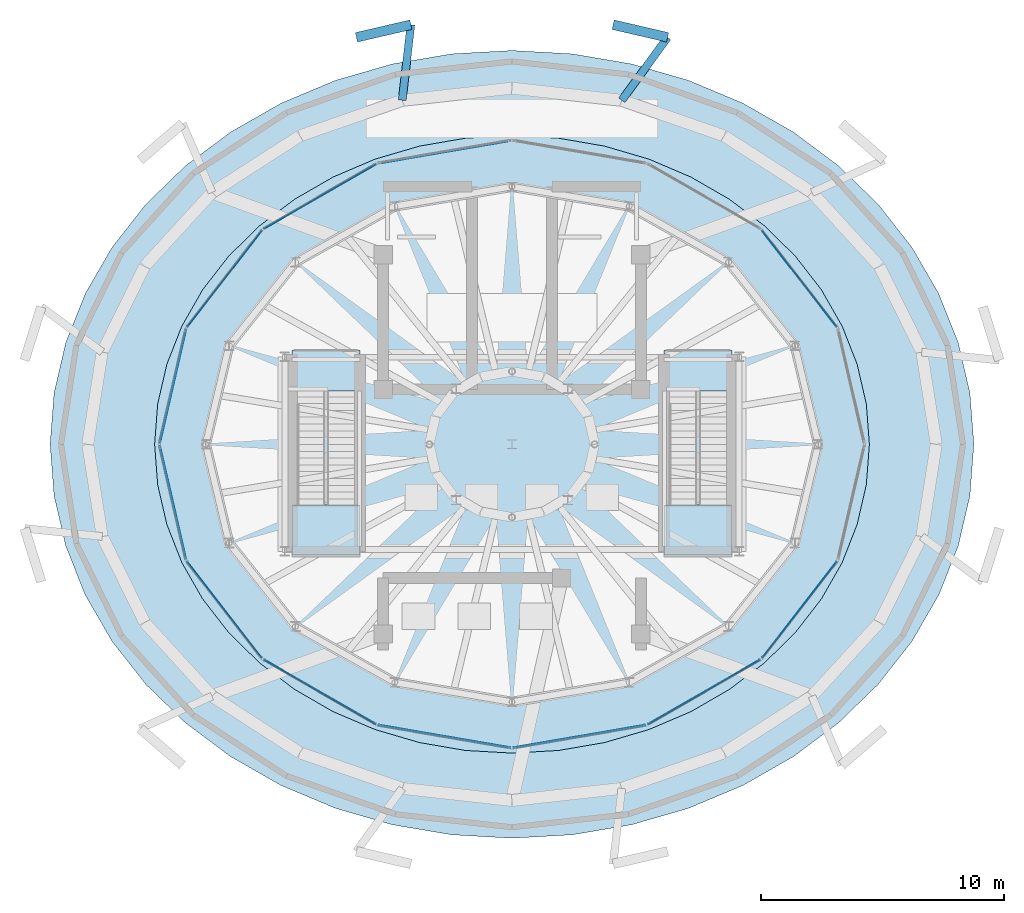
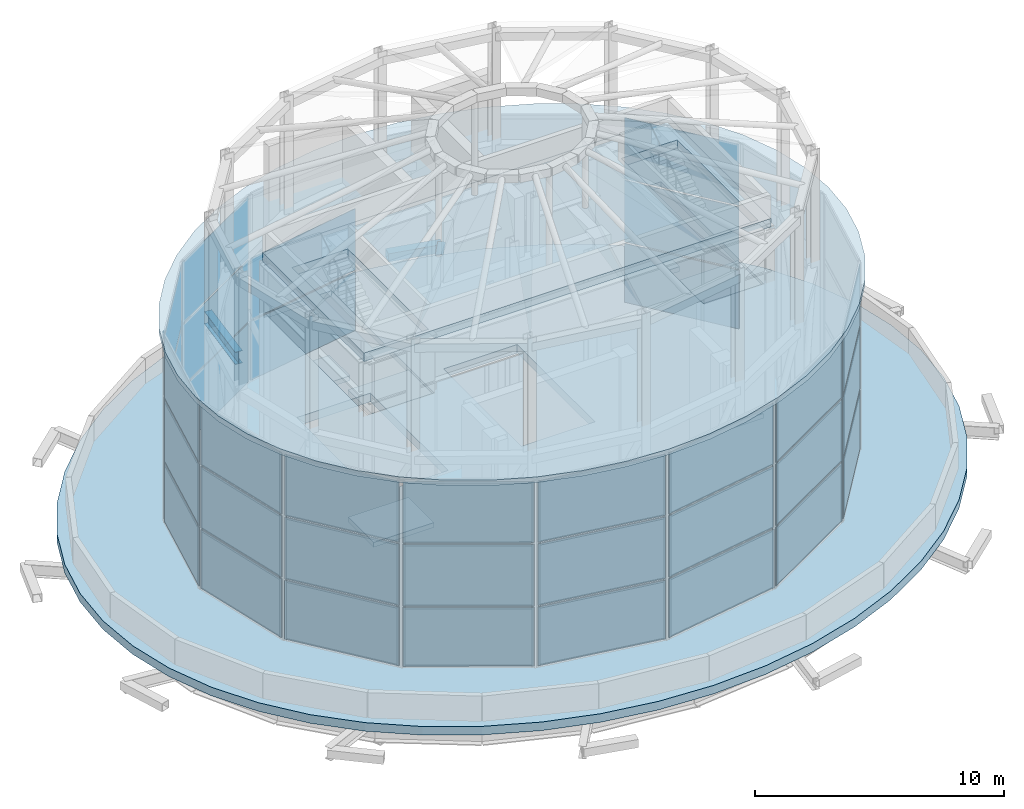
# One storey, part 18 of 22: 35 plates, 9 slabs, 4 beams, 14 elements without a shape of their own.
"""IFC4 building model written with IfcOpenShell, lengths in metres."""

import ifcopenshell
import ifcopenshell.guid

model = None  # the IFC model being written
_history = None  # IfcOwnerHistory: only IFC2X3 demands one
_inside = {}  # id of a spatial element -> (the spatial element, [elements in it])
_under = {}  # id of a project, library or spatial element -> (it, [spatial elements below it])
_declared = {}  # id of a project -> (the project, [libraries it declares])
_typed = {}  # id of a type object -> (the type object, [elements of that type])
_made_of = {}  # id of a material, layer set ... -> (it, [elements and type objects made of it])


def new_model(schema):
    """Start an empty IFC model of exactly this schema.

    Asked for "IFC4X3", IfcOpenShell would pick the latest addendum, in which some entities
    have other attributes; the version numbers below select the first issue.
    IFC2X3 requires an IfcOwnerHistory on every rooted entity: one is made here for all.
    """
    global model, _history
    if schema == "IFC4X3":
        model = ifcopenshell.file(schema_version=(4, 3, 0, 0))
    else:
        model = ifcopenshell.file(schema=schema)
    _inside.clear()
    _under.clear()
    _declared.clear()
    _typed.clear()
    _made_of.clear()
    _history = None
    if model.schema == "IFC2X3":
        org = make("IfcOrganization", Name="unknown")
        user = make(
            "IfcPersonAndOrganization",
            ThePerson=make("IfcPerson", FamilyName="unknown"),
            TheOrganization=org,
        )
        app = make(
            "IfcApplication",
            ApplicationDeveloper=org,
            Version="unknown",
            ApplicationFullName="unknown",
            ApplicationIdentifier="unknown",
        )
        _history = make(
            "IfcOwnerHistory",
            OwningUser=user,
            OwningApplication=app,
            ChangeAction="ADDED",
            CreationDate=0,
        )
    return model


def make(cls, **values):
    """One entity of the class cls with the attributes given. An attribute that is None is left unset."""
    return model.create_entity(
        cls, **{name: value for name, value in values.items() if value is not None}
    )


def rooted(cls, **values):
    """An entity with a GlobalId (a new one), such as an element, a storey or a relation."""
    return make(cls, GlobalId=ifcopenshell.guid.new(), OwnerHistory=_history, **values)


def si_unit(unit_type, name, prefix=None):
    """IfcSIUnit, for example si_unit("LENGTHUNIT", "METRE", prefix="MILLI")."""
    return make("IfcSIUnit", UnitType=unit_type, Prefix=prefix, Name=name)


def assignment(units):
    """IfcUnitAssignment: the units of a project."""
    return None if units is None else make("IfcUnitAssignment", Units=units)


def point(xyz):
    """IfcCartesianPoint."""
    return None if xyz is None else make("IfcCartesianPoint", Coordinates=xyz)


def direction(xyz):
    """IfcDirection."""
    return None if xyz is None else make("IfcDirection", DirectionRatios=xyz)


def frame(location, z_axis=None, x_axis=None):
    """IfcAxis2Placement3D, a coordinate frame: its origin and axes. An axis left out is left unset."""
    return make(
        "IfcAxis2Placement3D",
        Location=point(location),
        Axis=direction(z_axis),
        RefDirection=direction(x_axis),
    )


def frame_2d(location, x_axis=None):
    """IfcAxis2Placement2D, a coordinate frame in the plane: its origin and x axis."""
    return make(
        "IfcAxis2Placement2D", Location=point(location), RefDirection=direction(x_axis)
    )


def origin():
    """The frame at (0, 0, 0) with its axes left unset."""
    return frame((0.0, 0.0, 0.0))


def origin_2d():
    """The frame at (0, 0) in the plane with its x axis left unset."""
    return frame_2d((0.0, 0.0))


def place(relative_to, where):
    """IfcLocalPlacement: puts the frame where relative to a parent placement (None: the world)."""
    return make(
        "IfcLocalPlacement", PlacementRelTo=relative_to, RelativePlacement=where
    )


def context(
    kind, dimensions, precision=None, world=None, true_north=None, identifier=None
):
    """IfcGeometricRepresentationContext, for example the 3D "Model" context."""
    return make(
        "IfcGeometricRepresentationContext",
        ContextIdentifier=identifier,
        ContextType=kind,
        CoordinateSpaceDimension=dimensions,
        Precision=precision,
        WorldCoordinateSystem=world,
        TrueNorth=true_north,
    )


def subcontext(parent, identifier, kind, view, scale=None):
    """IfcGeometricRepresentationSubContext, for example "Body" below "Model"."""
    return make(
        "IfcGeometricRepresentationSubContext",
        ContextIdentifier=identifier,
        ContextType=kind,
        ParentContext=parent,
        TargetScale=scale,
        TargetView=view,
    )


def project(units=None, contexts=None):
    """IfcProject with its units and contexts."""
    return rooted(
        "IfcProject",
        Name="project",
        RepresentationContexts=contexts,
        UnitsInContext=assignment(units),
    )


def spatial(cls, under=None, at=None, **own):
    """A site, building, storey or space (cls), placed at a placement, below another one or the project."""
    s = rooted(cls, ObjectPlacement=at, **own)
    if under is not None:
        _under.setdefault(under.id(), (under, []))[1].append(s)
    return s


def polyline(points):
    """IfcPolyline through the points."""
    return make("IfcPolyline", Points=[point(p) for p in points])


def profile(cls, at=None, kind="AREA", **sizes):
    """A parametric profile (cls). Its sizes go by their IFC names, for example OverallWidth=200.0."""
    return make(cls, ProfileType=kind, Position=at, **sizes)


def rectangle(**sizes):
    """IfcRectangleProfileDef."""
    return profile("IfcRectangleProfileDef", **sizes)


def hollow_rectangle(**sizes):
    """IfcRectangleHollowProfileDef."""
    return profile("IfcRectangleHollowProfileDef", **sizes)


def i_section(**sizes):
    """IfcIShapeProfileDef."""
    return profile("IfcIShapeProfileDef", **sizes)


def outline(outer, holes=None, kind="AREA"):
    """IfcArbitraryClosedProfileDef: a profile drawn as a closed curve; with holes, ...WithVoids."""
    if holes is None:
        return make("IfcArbitraryClosedProfileDef", ProfileType=kind, OuterCurve=outer)
    return make(
        "IfcArbitraryProfileDefWithVoids",
        ProfileType=kind,
        OuterCurve=outer,
        InnerCurves=holes,
    )


def extrude(swept, where, along, depth):
    """IfcExtrudedAreaSolid: the profile swept, set in the frame where, extruded along a direction by depth."""
    return make(
        "IfcExtrudedAreaSolid",
        SweptArea=swept,
        Position=where,
        ExtrudedDirection=direction(along),
        Depth=depth,
    )


def shape(context_of_items, identifier, shape_type, items):
    """IfcShapeRepresentation: the items that make up one representation, for example the "Body"."""
    return make(
        "IfcShapeRepresentation",
        ContextOfItems=context_of_items,
        RepresentationIdentifier=identifier,
        RepresentationType=shape_type,
        Items=items,
    )


def material(Name=None, Category=None):
    """IfcMaterial."""
    return make("IfcMaterial", Name=Name, Category=Category)


def layer(
    of_material, thickness, ventilated=None, Name=None, Category=None, Priority=None
):
    """IfcMaterialLayer: one layer of a wall or slab, of a material (None: an air gap)."""
    return make(
        "IfcMaterialLayer",
        Material=of_material,
        LayerThickness=thickness,
        IsVentilated=ventilated,
        Name=Name,
        Category=Category,
        Priority=Priority,
    )


def layer_set(layers, Name=None):
    """IfcMaterialLayerSet."""
    return make("IfcMaterialLayerSet", MaterialLayers=layers, LayerSetName=Name)


def material_profile(
    of_material, cross_section, Name=None, Category=None, Priority=None
):
    """IfcMaterialProfile: a cross section and its material."""
    return make(
        "IfcMaterialProfile",
        Name=Name,
        Material=of_material,
        Profile=cross_section,
        Priority=Priority,
        Category=Category,
    )


def profile_set(profiles, Name=None, composite=None):
    """IfcMaterialProfileSet."""
    return make(
        "IfcMaterialProfileSet",
        Name=Name,
        MaterialProfiles=profiles,
        CompositeProfile=composite,
    )


def made_of(thing, what):
    """Note that an element or type object is made of a material, layer set ...; save() writes the relation."""
    if what is not None:
        _made_of.setdefault(what.id(), (what, []))[1].append(thing)
    return thing


def type_object(cls, material=None, **own):
    """A type object (cls), such as IfcWallType, which elements share."""
    return made_of(rooted(cls, **own), material)


def element(
    cls,
    number,
    at=None,
    inside=None,
    cuts=None,
    type_object=None,
    material=None,
    context=None,
    identifier="Body",
    shape_type=None,
    held_by="IfcProductDefinitionShape",
    body=None,
    shapes=None,
    **own,
):
    """One element of the class cls, such as IfcWall. Its Tag is "e" and its number.

    at: its placement. inside: the storey or other place that contains it. cuts: it is an
    opening in that element (IfcRelVoidsElement). A single representation is given by context,
    identifier, shape_type and body (its items); several are given by shapes. held_by: the class
    of the entity that holds the representations. save() writes the other relations.
    """
    e = rooted(cls, Tag="e%d" % number, ObjectPlacement=at, **own)
    if body is not None:
        shapes = [shape(context, identifier, shape_type, body)]
    if shapes is not None:
        e.Representation = make(held_by, Representations=shapes)
    if inside is not None:
        _inside.setdefault(inside.id(), (inside, []))[1].append(e)
    if cuts is not None:
        rooted(
            "IfcRelVoidsElement", RelatingBuildingElement=cuts, RelatedOpeningElement=e
        )
    if type_object is not None:
        _typed.setdefault(type_object.id(), (type_object, []))[1].append(e)
    return made_of(e, material)


def aggregate(whole, parts):
    """IfcRelAggregates: a whole, such as a stair, and the parts it consists of."""
    return rooted("IfcRelAggregates", RelatingObject=whole, RelatedObjects=parts)


def save(model, path):
    """Write the relations noted so far, then the file.

    IfcRelAggregates (storeys below a building ...), IfcRelContainedInSpatialStructure (elements
    in a storey), IfcRelDefinesByType, IfcRelAssociatesMaterial and IfcRelDeclares: one each for
    every whole, place, type object, material and project.
    """
    for whole, parts in _under.values():
        aggregate(whole, parts)
    for where, things in _inside.values():
        rooted(
            "IfcRelContainedInSpatialStructure",
            RelatedElements=things,
            RelatingStructure=where,
        )
    for kind, things in _typed.values():
        rooted("IfcRelDefinesByType", RelatedObjects=things, RelatingType=kind)
    for what, things in _made_of.values():
        rooted("IfcRelAssociatesMaterial", RelatedObjects=things, RelatingMaterial=what)
    for by, libraries in _declared.values():
        rooted("IfcRelDeclares", RelatingContext=by, RelatedDefinitions=libraries)
    model.write(path)


model = new_model("IFC4")

# Units and contexts
model_context = context("Model", 3, precision=1e-05, world=origin(), true_north=direction((0.0, 1.0)))
body_context = subcontext(model_context, "Body", "Model", "MODEL_VIEW")
ifc_project = project(units=[si_unit("LENGTHUNIT", "METRE"), si_unit("AREAUNIT", "SQUARE_METRE"), si_unit("VOLUMEUNIT", "CUBIC_METRE"), si_unit("PLANEANGLEUNIT", "RADIAN"), si_unit("MASSUNIT", "GRAM", prefix="KILO")], contexts=[model_context])

# Site, building, storey
site_placement = place(None, origin())
site = spatial("IfcSite", under=ifc_project, at=site_placement, CompositionType="ELEMENT")
building_placement = place(site_placement, origin())
building = spatial("IfcBuilding", under=site, at=building_placement, Name="Nuhasar Tower", CompositionType="ELEMENT")
storey_placement = place(building_placement, frame((0.0, 0.0, 313.39990234375)))
storey = spatial("IfcBuildingStorey", under=building, at=storey_placement, Name="Roof Drum", CompositionType="ELEMENT", Elevation=313.39990234375)

# Beams
ifc_material_1 = material(Name="Steel S355", Category="steel")
ifc_material_profile_1 = material_profile(ifc_material_1, hollow_rectangle(XDim=0.39990234375, YDim=0.39990234375, WallThickness=0.01611328125, at=origin_2d()), Name="HSS400X400X16")
ifc_profile_set_1 = profile_set([ifc_material_profile_1], Name="Steel S355")
beam_type_1 = type_object("IfcBeamType", Name="BM-CRN-HSS400", PredefinedType="SPANDREL", material=ifc_profile_set_1)
for number, where, z_axis, x_axis, name in (
    (1, (45.39990234375, 43.541015625, -0.619873046875), (-0.974303462715, 0.225239345014, 0.0), (-0.225239345014, -0.974303462715, 0.0), "Roof Drum Top Exoskeleton Collar Beam 03"),
    (2, (34.841064453125, 44.05908203125, -0.619873046875), (-0.974303462715, -0.225239345014, 0.0), (0.225239345014, -0.974303462715, 0.0), "Roof Drum Top Exoskeleton Collar Beam 04"),
):
    element("IfcBeam", number, at=place(storey_placement, frame(where, z_axis=z_axis, x_axis=x_axis)), inside=storey, type_object=beam_type_1, Name=name, PredefinedType="SPANDREL", context=body_context, shape_type="SweptSolid", body=[
        extrude(hollow_rectangle(XDim=0.39990234375, YDim=0.39990234375, WallThickness=0.01611328125, at=origin_2d()), origin(), (0.0, 0.0, 1.0), 2.300048828125),
    ])
ifc_material_profile_2 = material_profile(ifc_material_1, i_section(OverallWidth=0.323974609375, OverallDepth=0.611083984375, WebThickness=0.0126953125, FlangeThickness=0.01904296875, at=origin_2d()), Name="W24X104")
ifc_profile_set_2 = profile_set([ifc_material_profile_2], Name="Steel S355")
beam_type_2 = type_object("IfcBeamType", Name="BM-TIE-W24X104", PredefinedType="BEAM", material=ifc_profile_set_2)
beam_1_placement = place(storey_placement, frame((43.51611328125, 40.950927734375, -0.724853515625), z_axis=(0.588189827879, 0.808722898389, 0.0), x_axis=(-0.808722898389, 0.588189827879, 0.0)))
element("IfcBeam", 3, at=beam_1_placement, inside=storey, type_object=beam_type_2, Name="Roof Drum Top Exoskeleton Tie Beam 03", PredefinedType="BEAM", context=body_context, shape_type="SweptSolid", body=[
    extrude(i_section(OverallWidth=0.323974609375, OverallDepth=0.611083984375, WebThickness=0.0126953125, FlangeThickness=0.01904296875, at=origin_2d()), origin(), (0.0, 0.0, 1.0), 3.20263671875),
])
beam_2_placement = place(storey_placement, frame((34.48388671875, 40.950927734375, -0.724853515625), z_axis=(0.114165000145, 0.993461802357, 0.0), x_axis=(-0.993461802357, 0.114165000145, 0.0)))
element("IfcBeam", 4, at=beam_2_placement, inside=storey, type_object=beam_type_2, Name="Roof Drum Top Exoskeleton Tie Beam 04", PredefinedType="BEAM", context=body_context, shape_type="SweptSolid", body=[
    extrude(i_section(OverallWidth=0.323974609375, OverallDepth=0.611083984375, WebThickness=0.0126953125, FlangeThickness=0.01904296875, at=origin_2d()), origin(), (0.0, 0.0, 1.0), 3.128662109375),
])

# Curtain wall, plates
ifc_material_2 = material(Name="Aluminium 6063-T6", Category="aluminium")
ifc_layer_1 = layer(ifc_material_2, 0.219970703125)
ifc_layer_set_1 = layer_set([ifc_layer_1], Name="Aluminium 6063-T6")
curtain_wall_type = type_object("IfcCurtainWallType", Name="CW-CROWN", PredefinedType="NOTDEFINED", material=ifc_layer_set_1)
curtain_wall_1_placement = place(storey_placement, origin())
curtain_wall_1 = element("IfcCurtainWall", 5, at=curtain_wall_1_placement, inside=storey, type_object=curtain_wall_type, Name="Crown Lantern Curtain Wall 02", PredefinedType="NOTDEFINED")
ifc_material_3 = material(Name="Glass Double Low-E", Category="glass")
ifc_layer_2 = layer(ifc_material_3, 0.028076171875)
ifc_layer_set_2 = layer_set([ifc_layer_2], Name="Glass Double Low-E")
plate_type_1 = type_object("IfcPlateType", Name="CW-PANEL-GLZ", PredefinedType="CURTAIN_PANEL", material=ifc_layer_set_2)
plate_1_placement = place(storey_placement, frame((50.824462890625, 33.611572265625, 3.0400390625), z_axis=(0.0, 0.0, 1.0), x_axis=(-0.612617329738, 0.79037966023, 0.0)))
plate_1 = element("IfcPlate", 6, at=plate_1_placement, type_object=plate_type_1, Name="CW-CR panel 1.2", PredefinedType="CURTAIN_PANEL", context=body_context, shape_type="SweptSolid", body=[
    extrude(rectangle(XDim=4.970458984375, YDim=0.028076171875, at=origin_2d()), origin(), (0.0, 0.0, 1.0), 3.02001953125),
])
plate_2_placement = place(storey_placement, frame((50.824462890625, 33.611572265625, 6.14013671875), z_axis=(0.0, 0.0, 1.0), x_axis=(-0.612617329738, 0.79037966023, 0.0)))
plate_2 = element("IfcPlate", 7, at=plate_2_placement, type_object=plate_type_1, Name="CW-CR panel 1.3", PredefinedType="CURTAIN_PANEL", context=body_context, shape_type="SweptSolid", body=[
    extrude(rectangle(XDim=4.970458984375, YDim=0.028076171875, at=origin_2d()), origin(), (0.0, 0.0, 1.0), 3.0),
])

# Curtain wall, plate
curtain_wall_2_placement = place(storey_placement, origin())
curtain_wall_2 = element("IfcCurtainWall", 8, at=curtain_wall_2_placement, inside=storey, type_object=curtain_wall_type, Name="Crown Lantern Curtain Wall 05", PredefinedType="NOTDEFINED")
plate_3_placement = place(storey_placement, frame((36.2255859375, 38.823974609375, 3.0400390625), z_axis=(0.0, 0.0, 1.0), x_axis=(-0.985600273164, -0.169091991353, 0.0)))
plate_3 = element("IfcPlate", 9, at=plate_3_placement, type_object=plate_type_1, Name="CW-CR panel 1.2", PredefinedType="CURTAIN_PANEL", context=body_context, shape_type="SweptSolid", body=[
    extrude(rectangle(XDim=5.469970703125, YDim=0.028076171875, at=origin_2d()), origin(), (0.0, 0.0, 1.0), 3.02001953125),
])

# Curtain wall, plates
curtain_wall_3_placement = place(storey_placement, origin())
curtain_wall_3 = element("IfcCurtainWall", 10, at=curtain_wall_3_placement, inside=storey, type_object=curtain_wall_type, Name="Crown Lantern Curtain Wall 06", PredefinedType="NOTDEFINED")
plate_4_placement = place(storey_placement, frame((31.09912109375, 36.993408203125, 3.0400390625), z_axis=(0.0, 0.0, 1.0), x_axis=(-0.866571760085, -0.499052486842, 0.0)))
plate_4 = element("IfcPlate", 11, at=plate_4_placement, type_object=plate_type_1, Name="CW-CR panel 1.2", PredefinedType="CURTAIN_PANEL", context=body_context, shape_type="SweptSolid", body=[
    extrude(rectangle(XDim=5.268310546875, YDim=0.028076171875, at=origin_2d()), origin(), (0.0, 0.0, 1.0), 3.02001953125),
])
plate_5_placement = place(storey_placement, frame((31.09912109375, 36.993408203125, 6.14013671875), z_axis=(0.0, 0.0, 1.0), x_axis=(-0.866571760085, -0.499052486842, 0.0)))
plate_5 = element("IfcPlate", 12, at=plate_5_placement, type_object=plate_type_1, Name="CW-CR panel 1.3", PredefinedType="CURTAIN_PANEL", context=body_context, shape_type="SweptSolid", body=[
    extrude(rectangle(XDim=5.268310546875, YDim=0.028076171875, at=origin_2d()), origin(), (0.0, 0.0, 1.0), 3.0),
])

curtain_wall_4_placement = place(storey_placement, origin())
curtain_wall_4 = element("IfcCurtainWall", 13, at=curtain_wall_4_placement, inside=storey, type_object=curtain_wall_type, Name="Crown Lantern Curtain Wall 07", PredefinedType="NOTDEFINED")
plate_6_placement = place(storey_placement, frame((27.175537109375, 33.611572265625, 3.0400390625), z_axis=(0.0, 0.0, 1.0), x_axis=(-0.612617329738, -0.79037966023, 0.0)))
plate_6 = element("IfcPlate", 14, at=plate_6_placement, type_object=plate_type_1, Name="CW-CR panel 1.2", PredefinedType="CURTAIN_PANEL", context=body_context, shape_type="SweptSolid", body=[
    extrude(rectangle(XDim=4.970458984375, YDim=0.028076171875, at=origin_2d()), origin(), (0.0, 0.0, 1.0), 3.02001953125),
])
plate_7_placement = place(storey_placement, frame((27.175537109375, 33.611572265625, 6.14013671875), z_axis=(0.0, 0.0, 1.0), x_axis=(-0.612617329738, -0.79037966023, 0.0)))
plate_7 = element("IfcPlate", 15, at=plate_7_placement, type_object=plate_type_1, Name="CW-CR panel 1.3", PredefinedType="CURTAIN_PANEL", context=body_context, shape_type="SweptSolid", body=[
    extrude(rectangle(XDim=4.970458984375, YDim=0.028076171875, at=origin_2d()), origin(), (0.0, 0.0, 1.0), 3.0),
])

curtain_wall_5_placement = place(storey_placement, origin())
curtain_wall_5 = element("IfcCurtainWall", 16, at=curtain_wall_5_placement, inside=storey, type_object=curtain_wall_type, Name="Crown Lantern Curtain Wall 08", PredefinedType="NOTDEFINED")
plate_8_placement = place(storey_placement, frame((25.052001953125, 29.19189453125, 3.0400390625), z_axis=(0.0, 0.0, 1.0), x_axis=(-0.2248595067, -0.974391195694, 0.0)))
plate_8 = element("IfcPlate", 17, at=plate_8_placement, type_object=plate_type_1, Name="CW-CR panel 1.2", PredefinedType="CURTAIN_PANEL", context=body_context, shape_type="SweptSolid", body=[
    extrude(rectangle(XDim=4.749755859375, YDim=0.028076171875, at=origin_2d()), origin(), (0.0, 0.0, 1.0), 3.02001953125),
])
plate_9_placement = place(storey_placement, frame((25.052001953125, 29.19189453125, 6.14013671875), z_axis=(0.0, 0.0, 1.0), x_axis=(-0.2248595067, -0.974391195694, 0.0)))
plate_9 = element("IfcPlate", 18, at=plate_9_placement, type_object=plate_type_1, Name="CW-CR panel 1.3", PredefinedType="CURTAIN_PANEL", context=body_context, shape_type="SweptSolid", body=[
    extrude(rectangle(XDim=4.749755859375, YDim=0.028076171875, at=origin_2d()), origin(), (0.0, 0.0, 1.0), 3.0),
])

curtain_wall_6_placement = place(storey_placement, origin())
curtain_wall_6 = element("IfcCurtainWall", 19, at=curtain_wall_6_placement, inside=storey, type_object=curtain_wall_type, Name="Crown Lantern Curtain Wall 09", PredefinedType="NOTDEFINED")
plate_10_placement = place(storey_placement, frame((25.052001953125, 24.407958984375, 3.0400390625), z_axis=(0.0, 0.0, 1.0), x_axis=(0.2248595067, -0.974391195694, 0.0)))
plate_10 = element("IfcPlate", 20, at=plate_10_placement, type_object=plate_type_1, Name="CW-CR panel 1.2", PredefinedType="CURTAIN_PANEL", context=body_context, shape_type="SweptSolid", body=[
    extrude(rectangle(XDim=4.749755859375, YDim=0.028076171875, at=origin_2d()), origin(), (0.0, 0.0, 1.0), 3.02001953125),
])
plate_11_placement = place(storey_placement, frame((25.052001953125, 24.407958984375, 6.14013671875), z_axis=(0.0, 0.0, 1.0), x_axis=(0.2248595067, -0.974391195694, 0.0)))
plate_11 = element("IfcPlate", 21, at=plate_11_placement, type_object=plate_type_1, Name="CW-CR panel 1.3", PredefinedType="CURTAIN_PANEL", context=body_context, shape_type="SweptSolid", body=[
    extrude(rectangle(XDim=4.749755859375, YDim=0.028076171875, at=origin_2d()), origin(), (0.0, 0.0, 1.0), 3.0),
])

curtain_wall_7_placement = place(storey_placement, origin())
curtain_wall_7 = element("IfcCurtainWall", 22, at=curtain_wall_7_placement, inside=storey, type_object=curtain_wall_type, Name="Crown Lantern Curtain Wall 10", PredefinedType="NOTDEFINED")
plate_12_placement = place(storey_placement, frame((27.175537109375, 19.988525390625, 3.0400390625), z_axis=(0.0, 0.0, 1.0), x_axis=(0.612617329738, -0.79037966023, 0.0)))
plate_12 = element("IfcPlate", 23, at=plate_12_placement, type_object=plate_type_1, Name="CW-CR panel 1.2", PredefinedType="CURTAIN_PANEL", context=body_context, shape_type="SweptSolid", body=[
    extrude(rectangle(XDim=4.970458984375, YDim=0.028076171875, at=origin_2d()), origin(), (0.0, 0.0, 1.0), 3.02001953125),
])
plate_13_placement = place(storey_placement, frame((27.175537109375, 19.988525390625, 6.14013671875), z_axis=(0.0, 0.0, 1.0), x_axis=(0.612617329738, -0.79037966023, 0.0)))
plate_13 = element("IfcPlate", 24, at=plate_13_placement, type_object=plate_type_1, Name="CW-CR panel 1.3", PredefinedType="CURTAIN_PANEL", context=body_context, shape_type="SweptSolid", body=[
    extrude(rectangle(XDim=4.970458984375, YDim=0.028076171875, at=origin_2d()), origin(), (0.0, 0.0, 1.0), 3.0),
])

curtain_wall_8_placement = place(storey_placement, origin())
curtain_wall_8 = element("IfcCurtainWall", 25, at=curtain_wall_8_placement, inside=storey, type_object=curtain_wall_type, Name="Crown Lantern Curtain Wall 11", PredefinedType="NOTDEFINED")
plate_14_placement = place(storey_placement, frame((31.09912109375, 16.6064453125, 3.0400390625), z_axis=(0.0, 0.0, 1.0), x_axis=(0.866571760085, -0.499052486842, 0.0)))
plate_14 = element("IfcPlate", 26, at=plate_14_placement, type_object=plate_type_1, Name="CW-CR panel 1.2", PredefinedType="CURTAIN_PANEL", context=body_context, shape_type="SweptSolid", body=[
    extrude(rectangle(XDim=5.268310546875, YDim=0.028076171875, at=origin_2d()), origin(), (0.0, 0.0, 1.0), 3.02001953125),
])
plate_15_placement = place(storey_placement, frame((31.09912109375, 16.6064453125, 6.14013671875), z_axis=(0.0, 0.0, 1.0), x_axis=(0.866571760085, -0.499052486842, 0.0)))
plate_15 = element("IfcPlate", 27, at=plate_15_placement, type_object=plate_type_1, Name="CW-CR panel 1.3", PredefinedType="CURTAIN_PANEL", context=body_context, shape_type="SweptSolid", body=[
    extrude(rectangle(XDim=5.268310546875, YDim=0.028076171875, at=origin_2d()), origin(), (0.0, 0.0, 1.0), 3.0),
])

curtain_wall_9_placement = place(storey_placement, origin())
curtain_wall_9 = element("IfcCurtainWall", 28, at=curtain_wall_9_placement, inside=storey, type_object=curtain_wall_type, Name="Crown Lantern Curtain Wall 12", PredefinedType="NOTDEFINED")
plate_16_placement = place(storey_placement, frame((36.2255859375, 14.77587890625, 3.0400390625), z_axis=(0.0, 0.0, 1.0), x_axis=(0.985600273164, -0.169091991353, 0.0)))
plate_16 = element("IfcPlate", 29, at=plate_16_placement, type_object=plate_type_1, Name="CW-CR panel 1.2", PredefinedType="CURTAIN_PANEL", context=body_context, shape_type="SweptSolid", body=[
    extrude(rectangle(XDim=5.469970703125, YDim=0.028076171875, at=origin_2d()), origin(), (0.0, 0.0, 1.0), 3.02001953125),
])
plate_17_placement = place(storey_placement, frame((36.2255859375, 14.77587890625, 6.14013671875), z_axis=(0.0, 0.0, 1.0), x_axis=(0.985600273164, -0.169091991353, 0.0)))
plate_17 = element("IfcPlate", 30, at=plate_17_placement, type_object=plate_type_1, Name="CW-CR panel 1.3", PredefinedType="CURTAIN_PANEL", context=body_context, shape_type="SweptSolid", body=[
    extrude(rectangle(XDim=5.469970703125, YDim=0.028076171875, at=origin_2d()), origin(), (0.0, 0.0, 1.0), 3.0),
])

curtain_wall_10_placement = place(storey_placement, origin())
curtain_wall_10 = element("IfcCurtainWall", 31, at=curtain_wall_10_placement, inside=storey, type_object=curtain_wall_type, Name="Crown Lantern Curtain Wall 13", PredefinedType="NOTDEFINED")
plate_18_placement = place(storey_placement, frame((41.7744140625, 14.77587890625, 3.0400390625), z_axis=(0.0, 0.0, 1.0), x_axis=(0.985600273164, 0.169091991353, 0.0)))
plate_18 = element("IfcPlate", 32, at=plate_18_placement, type_object=plate_type_1, Name="CW-CR panel 1.2", PredefinedType="CURTAIN_PANEL", context=body_context, shape_type="SweptSolid", body=[
    extrude(rectangle(XDim=5.469970703125, YDim=0.028076171875, at=origin_2d()), origin(), (0.0, 0.0, 1.0), 3.02001953125),
])
plate_19_placement = place(storey_placement, frame((41.7744140625, 14.77587890625, 6.14013671875), z_axis=(0.0, 0.0, 1.0), x_axis=(0.985600273164, 0.169091991353, 0.0)))
plate_19 = element("IfcPlate", 33, at=plate_19_placement, type_object=plate_type_1, Name="CW-CR panel 1.3", PredefinedType="CURTAIN_PANEL", context=body_context, shape_type="SweptSolid", body=[
    extrude(rectangle(XDim=5.469970703125, YDim=0.028076171875, at=origin_2d()), origin(), (0.0, 0.0, 1.0), 3.0),
])

curtain_wall_11_placement = place(storey_placement, origin())
curtain_wall_11 = element("IfcCurtainWall", 34, at=curtain_wall_11_placement, inside=storey, type_object=curtain_wall_type, Name="Crown Lantern Curtain Wall 14", PredefinedType="NOTDEFINED")
plate_20_placement = place(storey_placement, frame((46.90087890625, 16.6064453125, 3.0400390625), z_axis=(0.0, 0.0, 1.0), x_axis=(0.866571760085, 0.499052486842, 0.0)))
plate_20 = element("IfcPlate", 35, at=plate_20_placement, type_object=plate_type_1, Name="CW-CR panel 1.2", PredefinedType="CURTAIN_PANEL", context=body_context, shape_type="SweptSolid", body=[
    extrude(rectangle(XDim=5.268310546875, YDim=0.028076171875, at=origin_2d()), origin(), (0.0, 0.0, 1.0), 3.02001953125),
])
plate_21_placement = place(storey_placement, frame((46.90087890625, 16.6064453125, 6.14013671875), z_axis=(0.0, 0.0, 1.0), x_axis=(0.866571760085, 0.499052486842, 0.0)))
plate_21 = element("IfcPlate", 36, at=plate_21_placement, type_object=plate_type_1, Name="CW-CR panel 1.3", PredefinedType="CURTAIN_PANEL", context=body_context, shape_type="SweptSolid", body=[
    extrude(rectangle(XDim=5.268310546875, YDim=0.028076171875, at=origin_2d()), origin(), (0.0, 0.0, 1.0), 3.0),
])

curtain_wall_12_placement = place(storey_placement, origin())
curtain_wall_12 = element("IfcCurtainWall", 37, at=curtain_wall_12_placement, inside=storey, type_object=curtain_wall_type, Name="Crown Lantern Curtain Wall 15", PredefinedType="NOTDEFINED")
plate_22_placement = place(storey_placement, frame((50.824462890625, 19.988525390625, 3.0400390625), z_axis=(0.0, 0.0, 1.0), x_axis=(0.612617329738, 0.79037966023, 0.0)))
plate_22 = element("IfcPlate", 38, at=plate_22_placement, type_object=plate_type_1, Name="CW-CR panel 1.2", PredefinedType="CURTAIN_PANEL", context=body_context, shape_type="SweptSolid", body=[
    extrude(rectangle(XDim=4.970458984375, YDim=0.028076171875, at=origin_2d()), origin(), (0.0, 0.0, 1.0), 3.02001953125),
])
plate_23_placement = place(storey_placement, frame((50.824462890625, 19.988525390625, 6.14013671875), z_axis=(0.0, 0.0, 1.0), x_axis=(0.612617329738, 0.79037966023, 0.0)))
plate_23 = element("IfcPlate", 39, at=plate_23_placement, type_object=plate_type_1, Name="CW-CR panel 1.3", PredefinedType="CURTAIN_PANEL", context=body_context, shape_type="SweptSolid", body=[
    extrude(rectangle(XDim=4.970458984375, YDim=0.028076171875, at=origin_2d()), origin(), (0.0, 0.0, 1.0), 3.0),
])

# Plate
ifc_material_4 = material(Name="Glass Spandrel", Category="glass")
ifc_layer_3 = layer(ifc_material_4, 0.035888671875)
ifc_layer_set_3 = layer_set([ifc_layer_3], Name="Glass Spandrel")
plate_type_2 = type_object("IfcPlateType", Name="CW-PANEL-SPN", PredefinedType="CURTAIN_PANEL", material=ifc_layer_set_3)
plate_24_placement = place(storey_placement, frame((50.824462890625, 33.611572265625, 0.080078125), z_axis=(0.0, 0.0, 1.0), x_axis=(-0.612617329738, 0.79037966023, 0.0)))
plate_24 = element("IfcPlate", 40, at=plate_24_placement, type_object=plate_type_2, Name="CW-CR panel 1.1", PredefinedType="CURTAIN_PANEL", context=body_context, shape_type="SweptSolid", body=[
    extrude(rectangle(XDim=4.970458984375, YDim=0.035888671875, at=origin_2d()), origin(), (0.0, 0.0, 1.0), 2.8798828125),
])

aggregate(curtain_wall_1, [plate_24, plate_1, plate_2])

plate_25_placement = place(storey_placement, frame((36.2255859375, 38.823974609375, 0.080078125), z_axis=(0.0, 0.0, 1.0), x_axis=(-0.985600273164, -0.169091991353, 0.0)))
plate_25 = element("IfcPlate", 41, at=plate_25_placement, type_object=plate_type_2, Name="CW-CR panel 1.1", PredefinedType="CURTAIN_PANEL", context=body_context, shape_type="SweptSolid", body=[
    extrude(rectangle(XDim=5.469970703125, YDim=0.035888671875, at=origin_2d()), origin(), (0.0, 0.0, 1.0), 2.8798828125),
])

aggregate(curtain_wall_2, [plate_25, plate_3])

plate_26_placement = place(storey_placement, frame((31.09912109375, 36.993408203125, 0.080078125), z_axis=(0.0, 0.0, 1.0), x_axis=(-0.866571760085, -0.499052486842, 0.0)))
plate_26 = element("IfcPlate", 42, at=plate_26_placement, type_object=plate_type_2, Name="CW-CR panel 1.1", PredefinedType="CURTAIN_PANEL", context=body_context, shape_type="SweptSolid", body=[
    extrude(rectangle(XDim=5.268310546875, YDim=0.035888671875, at=origin_2d()), origin(), (0.0, 0.0, 1.0), 2.8798828125),
])

aggregate(curtain_wall_3, [plate_26, plate_4, plate_5])

plate_27_placement = place(storey_placement, frame((27.175537109375, 33.611572265625, 0.080078125), z_axis=(0.0, 0.0, 1.0), x_axis=(-0.612617329738, -0.79037966023, 0.0)))
plate_27 = element("IfcPlate", 43, at=plate_27_placement, type_object=plate_type_2, Name="CW-CR panel 1.1", PredefinedType="CURTAIN_PANEL", context=body_context, shape_type="SweptSolid", body=[
    extrude(rectangle(XDim=4.970458984375, YDim=0.035888671875, at=origin_2d()), origin(), (0.0, 0.0, 1.0), 2.8798828125),
])

aggregate(curtain_wall_4, [plate_27, plate_6, plate_7])

plate_28_placement = place(storey_placement, frame((25.052001953125, 29.19189453125, 0.080078125), z_axis=(0.0, 0.0, 1.0), x_axis=(-0.2248595067, -0.974391195694, 0.0)))
plate_28 = element("IfcPlate", 44, at=plate_28_placement, type_object=plate_type_2, Name="CW-CR panel 1.1", PredefinedType="CURTAIN_PANEL", context=body_context, shape_type="SweptSolid", body=[
    extrude(rectangle(XDim=4.749755859375, YDim=0.035888671875, at=origin_2d()), origin(), (0.0, 0.0, 1.0), 2.8798828125),
])

aggregate(curtain_wall_5, [plate_28, plate_8, plate_9])

plate_29_placement = place(storey_placement, frame((25.052001953125, 24.407958984375, 0.080078125), z_axis=(0.0, 0.0, 1.0), x_axis=(0.2248595067, -0.974391195694, 0.0)))
plate_29 = element("IfcPlate", 45, at=plate_29_placement, type_object=plate_type_2, Name="CW-CR panel 1.1", PredefinedType="CURTAIN_PANEL", context=body_context, shape_type="SweptSolid", body=[
    extrude(rectangle(XDim=4.749755859375, YDim=0.035888671875, at=origin_2d()), origin(), (0.0, 0.0, 1.0), 2.8798828125),
])

aggregate(curtain_wall_6, [plate_29, plate_10, plate_11])

plate_30_placement = place(storey_placement, frame((27.175537109375, 19.988525390625, 0.080078125), z_axis=(0.0, 0.0, 1.0), x_axis=(0.612617329738, -0.79037966023, 0.0)))
plate_30 = element("IfcPlate", 46, at=plate_30_placement, type_object=plate_type_2, Name="CW-CR panel 1.1", PredefinedType="CURTAIN_PANEL", context=body_context, shape_type="SweptSolid", body=[
    extrude(rectangle(XDim=4.970458984375, YDim=0.035888671875, at=origin_2d()), origin(), (0.0, 0.0, 1.0), 2.8798828125),
])

aggregate(curtain_wall_7, [plate_30, plate_12, plate_13])

plate_31_placement = place(storey_placement, frame((31.09912109375, 16.6064453125, 0.080078125), z_axis=(0.0, 0.0, 1.0), x_axis=(0.866571760085, -0.499052486842, 0.0)))
plate_31 = element("IfcPlate", 47, at=plate_31_placement, type_object=plate_type_2, Name="CW-CR panel 1.1", PredefinedType="CURTAIN_PANEL", context=body_context, shape_type="SweptSolid", body=[
    extrude(rectangle(XDim=5.268310546875, YDim=0.035888671875, at=origin_2d()), origin(), (0.0, 0.0, 1.0), 2.8798828125),
])

aggregate(curtain_wall_8, [plate_31, plate_14, plate_15])

plate_32_placement = place(storey_placement, frame((36.2255859375, 14.77587890625, 0.080078125), z_axis=(0.0, 0.0, 1.0), x_axis=(0.985600273164, -0.169091991353, 0.0)))
plate_32 = element("IfcPlate", 48, at=plate_32_placement, type_object=plate_type_2, Name="CW-CR panel 1.1", PredefinedType="CURTAIN_PANEL", context=body_context, shape_type="SweptSolid", body=[
    extrude(rectangle(XDim=5.469970703125, YDim=0.035888671875, at=origin_2d()), origin(), (0.0, 0.0, 1.0), 2.8798828125),
])

aggregate(curtain_wall_9, [plate_32, plate_16, plate_17])

plate_33_placement = place(storey_placement, frame((41.7744140625, 14.77587890625, 0.080078125), z_axis=(0.0, 0.0, 1.0), x_axis=(0.985600273164, 0.169091991353, 0.0)))
plate_33 = element("IfcPlate", 49, at=plate_33_placement, type_object=plate_type_2, Name="CW-CR panel 1.1", PredefinedType="CURTAIN_PANEL", context=body_context, shape_type="SweptSolid", body=[
    extrude(rectangle(XDim=5.469970703125, YDim=0.035888671875, at=origin_2d()), origin(), (0.0, 0.0, 1.0), 2.8798828125),
])

aggregate(curtain_wall_10, [plate_33, plate_18, plate_19])

plate_34_placement = place(storey_placement, frame((46.90087890625, 16.6064453125, 0.080078125), z_axis=(0.0, 0.0, 1.0), x_axis=(0.866571760085, 0.499052486842, 0.0)))
plate_34 = element("IfcPlate", 50, at=plate_34_placement, type_object=plate_type_2, Name="CW-CR panel 1.1", PredefinedType="CURTAIN_PANEL", context=body_context, shape_type="SweptSolid", body=[
    extrude(rectangle(XDim=5.268310546875, YDim=0.035888671875, at=origin_2d()), origin(), (0.0, 0.0, 1.0), 2.8798828125),
])

aggregate(curtain_wall_11, [plate_34, plate_20, plate_21])

plate_35_placement = place(storey_placement, frame((50.824462890625, 19.988525390625, 0.080078125), z_axis=(0.0, 0.0, 1.0), x_axis=(0.612617329738, 0.79037966023, 0.0)))
plate_35 = element("IfcPlate", 51, at=plate_35_placement, type_object=plate_type_2, Name="CW-CR panel 1.1", PredefinedType="CURTAIN_PANEL", context=body_context, shape_type="SweptSolid", body=[
    extrude(rectangle(XDim=4.970458984375, YDim=0.035888671875, at=origin_2d()), origin(), (0.0, 0.0, 1.0), 2.8798828125),
])

aggregate(curtain_wall_12, [plate_35, plate_22, plate_23])

# Slabs
ifc_material_5 = material(Name="Concrete C45/55", Category="concrete")
ifc_layer_4 = layer(ifc_material_5, 0.280029296875)
ifc_layer_set_4 = layer_set([ifc_layer_4], Name="Concrete C45/55")
slab_type_1 = type_object("IfcSlabType", Name="SLB-CAP-280", PredefinedType="ROOF", material=ifc_layer_set_4)
slab_1_placement = place(storey_placement, frame((0.0, 0.0, 9.22021484375)))
element("IfcSlab", 52, at=slab_1_placement, inside=storey, type_object=slab_type_1, Name="Crown Drum Structural Eave Deck", PredefinedType="ROOF", context=body_context, shape_type="SweptSolid", body=[
    extrude(outline(polyline([(53.699951171875, 26.800048828125), (53.573974609375, 28.4580078125), (53.198974609375, 30.0869140625), (52.5810546875, 31.659912109375), (51.73095703125, 33.14990234375), (50.662109375, 34.531005859375), (49.39404296875, 35.780029296875), (47.948974609375, 36.8759765625), (46.35009765625, 37.799072265625), (44.625, 38.532958984375), (42.804931640625, 39.06689453125), (40.9189453125, 39.39111328125), (39.0, 39.5), (37.0810546875, 39.39111328125), (35.195068359375, 39.06689453125), (33.375, 38.532958984375), (31.64990234375, 37.799072265625), (30.051025390625, 36.8759765625), (28.60595703125, 35.780029296875), (27.337890625, 34.531005859375), (26.26904296875, 33.14990234375), (25.4189453125, 31.659912109375), (24.801025390625, 30.0869140625), (24.426025390625, 28.4580078125), (24.300048828125, 26.800048828125), (24.426025390625, 25.14208984375), (24.801025390625, 23.512939453125), (25.4189453125, 21.93994140625), (26.26904296875, 20.449951171875), (27.337890625, 19.069091796875), (28.60595703125, 17.820068359375), (30.051025390625, 16.72412109375), (31.64990234375, 15.801025390625), (33.375, 15.06689453125), (35.195068359375, 14.532958984375), (37.0810546875, 14.208984375), (39.0, 14.10009765625), (40.9189453125, 14.208984375), (42.804931640625, 14.532958984375), (44.625, 15.06689453125), (46.35009765625, 15.801025390625), (47.948974609375, 16.72412109375), (49.39404296875, 17.820068359375), (50.662109375, 19.069091796875), (51.73095703125, 20.449951171875), (52.5810546875, 21.93994140625), (53.198974609375, 23.512939453125), (53.573974609375, 25.14208984375), (53.699951171875, 26.800048828125)]), holes=[polyline([(29.64990234375, 30.5), (32.75, 30.5), (32.75, 22.239990234375), (29.64990234375, 22.239990234375), (29.64990234375, 30.5)]), polyline([(45.25, 30.5), (48.050048828125, 30.5), (48.050048828125, 22.239990234375), (45.25, 22.239990234375), (45.25, 30.5)])]), origin(), (0.0, 0.0, 1.0), 0.27978515625),
])
ifc_material_6 = material(Name="Concrete C60/75", Category="concrete")
ifc_layer_5 = layer(ifc_material_6, 0.419921875)
ifc_layer_set_5 = layer_set([ifc_layer_5], Name="Concrete C60/75")
slab_type_2 = type_object("IfcSlabType", Name="SLB-DRUM-420", PredefinedType="ROOF", material=ifc_layer_set_5)
slab_2_placement = place(storey_placement, frame((0.0, 0.0, -0.419921875)))
element("IfcSlab", 53, at=slab_2_placement, inside=storey, type_object=slab_type_2, Name="Roof Drum Structural Slab", PredefinedType="ROOF", context=body_context, shape_type="SweptSolid", body=[
    extrude(outline(polyline([(58.0, 26.800048828125), (57.8369140625, 28.9150390625), (57.35302734375, 30.992919921875), (56.553955078125, 32.9990234375), (55.4541015625, 34.89990234375), (54.073974609375, 36.662109375), (52.43505859375, 38.2548828125), (50.56591796875, 39.652099609375), (48.5, 40.830078125), (46.27099609375, 41.76708984375), (43.91796875, 42.447998046875), (41.47998046875, 42.861083984375), (39.0, 43.0), (36.52001953125, 42.861083984375), (34.08203125, 42.447998046875), (31.72900390625, 41.76708984375), (29.5, 40.830078125), (27.43408203125, 39.652099609375), (25.56494140625, 38.2548828125), (23.926025390625, 36.662109375), (22.5458984375, 34.89990234375), (21.446044921875, 32.9990234375), (20.64697265625, 30.992919921875), (20.1630859375, 28.9150390625), (20.0, 26.800048828125), (20.1630859375, 24.68505859375), (20.64697265625, 22.60693359375), (21.446044921875, 20.60107421875), (22.5458984375, 18.699951171875), (23.926025390625, 16.93798828125), (25.56494140625, 15.344970703125), (27.43408203125, 13.947998046875), (29.5, 12.77001953125), (31.72900390625, 11.8330078125), (34.08203125, 11.152099609375), (36.52001953125, 10.739013671875), (39.0, 10.60009765625), (41.47998046875, 10.739013671875), (43.91796875, 11.152099609375), (46.27099609375, 11.8330078125), (48.5, 12.77001953125), (50.56591796875, 13.947998046875), (52.43505859375, 15.344970703125), (54.073974609375, 16.93798828125), (55.4541015625, 18.699951171875), (56.553955078125, 20.60107421875), (57.35302734375, 22.60693359375), (57.8369140625, 24.68505859375), (58.0, 26.800048828125)]), holes=[polyline([(33.8798828125, 35.25), (37.300048828125, 35.25), (37.300048828125, 29.0), (33.8798828125, 29.0), (33.8798828125, 35.25)]), polyline([(40.699951171875, 35.25), (44.1201171875, 35.25), (44.1201171875, 29.0), (40.699951171875, 29.0), (40.699951171875, 35.25)])]), origin(), (0.0, 0.0, 1.0), 0.419921875),
])
slab_3_placement = place(storey_placement, frame((0.0, 0.0, 12.080078125)))
element("IfcSlab", 54, at=slab_3_placement, inside=storey, type_object=slab_type_2, Name="Crown Apex Mechanical Catwalk Slab", PredefinedType="ROOF", context=body_context, shape_type="SweptSolid", body=[
    extrude(outline(polyline([(29.550048828125, 22.35009765625), (48.449951171875, 22.35009765625), (48.449951171875, 30.5), (29.550048828125, 30.5), (29.550048828125, 22.35009765625)]), holes=[polyline([(30.050048828125, 29.0), (32.64990234375, 29.0), (32.64990234375, 22.5), (30.050048828125, 22.5), (30.050048828125, 29.0)]), polyline([(45.35009765625, 29.0), (47.949951171875, 29.0), (47.949951171875, 22.5), (45.35009765625, 22.5), (45.35009765625, 29.0)])]), origin(), (0.0, 0.0, 1.0), 0.419921875),
])

# Stair, slabs
stair_type_1 = type_object("IfcStairType", Name="STR-ST-CRN-1-4F-72R-1736", PredefinedType="HALF_TURN_STAIR", material=ifc_material_5)
stair_1_placement = place(storey_placement, origin())
stair_1 = element("IfcStair", 55, at=stair_1_placement, inside=storey, type_object=stair_type_1, Name="Roof Drum Exit Stair ST-CRN-1", PredefinedType="HALF_TURN_STAIR")
ifc_layer_6 = layer(ifc_material_5, 0.239990234375)
ifc_layer_set_6 = layer_set([ifc_layer_6], Name="Concrete C45/55")
slab_type_3 = type_object("IfcSlabType", Name="SLB-STAIR-LND-240", PredefinedType="LANDING", material=ifc_layer_set_6)
slab_4_placement = place(storey_placement, frame((0.0, 0.0, 2.885009765625)))
slab_4 = element("IfcSlab", 56, at=slab_4_placement, type_object=slab_type_3, Name="ST-CRN-1 landing 1", PredefinedType="LANDING", context=body_context, shape_type="SweptSolid", body=[
    extrude(outline(polyline([(29.949951171875, 22.25), (32.75, 22.25), (32.75, 24.31005859375), (29.949951171875, 24.31005859375), (29.949951171875, 22.25)])), origin(), (0.0, 0.0, 1.0), 0.239990234375),
])
slab_5_placement = place(storey_placement, frame((0.0, 0.0, 6.010009765625)))
slab_5 = element("IfcSlab", 57, at=slab_5_placement, type_object=slab_type_3, Name="ST-CRN-1 landing 2", PredefinedType="LANDING", context=body_context, shape_type="SweptSolid", body=[
    extrude(outline(polyline([(29.949951171875, 28.989990234375), (32.75, 28.989990234375), (32.75, 30.659912109375), (29.949951171875, 30.659912109375), (29.949951171875, 28.989990234375)])), origin(), (0.0, 0.0, 1.0), 0.239990234375),
])
slab_6_placement = place(storey_placement, frame((0.0, 0.0, 9.135009765625)))
slab_6 = element("IfcSlab", 58, at=slab_6_placement, type_object=slab_type_3, Name="ST-CRN-1 landing 3", PredefinedType="LANDING", context=body_context, shape_type="SweptSolid", body=[
    extrude(outline(polyline([(29.949951171875, 22.25), (32.75, 22.25), (32.75, 24.31005859375), (29.949951171875, 24.31005859375), (29.949951171875, 22.25)])), origin(), (0.0, 0.0, 1.0), 0.239990234375),
])
aggregate(stair_1, [slab_4, slab_5, slab_6])

stair_type_2 = type_object("IfcStairType", Name="STR-ST-CRN-2-4F-72R-1736", PredefinedType="HALF_TURN_STAIR", material=ifc_material_5)
stair_2_placement = place(storey_placement, origin())
stair_2 = element("IfcStair", 59, at=stair_2_placement, inside=storey, type_object=stair_type_2, Name="Roof Drum Exit Stair ST-CRN-2", PredefinedType="HALF_TURN_STAIR")
slab_7_placement = place(storey_placement, frame((0.0, 0.0, 2.885009765625)))
slab_7 = element("IfcSlab", 60, at=slab_7_placement, type_object=slab_type_3, Name="ST-CRN-2 landing 1", PredefinedType="LANDING", context=body_context, shape_type="SweptSolid", body=[
    extrude(outline(polyline([(45.25, 22.25), (48.050048828125, 22.25), (48.050048828125, 24.31005859375), (45.25, 24.31005859375), (45.25, 22.25)])), origin(), (0.0, 0.0, 1.0), 0.239990234375),
])
slab_8_placement = place(storey_placement, frame((0.0, 0.0, 6.010009765625)))
slab_8 = element("IfcSlab", 61, at=slab_8_placement, type_object=slab_type_3, Name="ST-CRN-2 landing 2", PredefinedType="LANDING", context=body_context, shape_type="SweptSolid", body=[
    extrude(outline(polyline([(45.25, 28.989990234375), (48.050048828125, 28.989990234375), (48.050048828125, 30.659912109375), (45.25, 30.659912109375), (45.25, 28.989990234375)])), origin(), (0.0, 0.0, 1.0), 0.239990234375),
])
slab_9_placement = place(storey_placement, frame((0.0, 0.0, 9.135009765625)))
slab_9 = element("IfcSlab", 62, at=slab_9_placement, type_object=slab_type_3, Name="ST-CRN-2 landing 3", PredefinedType="LANDING", context=body_context, shape_type="SweptSolid", body=[
    extrude(outline(polyline([(45.25, 22.25), (48.050048828125, 22.25), (48.050048828125, 24.31005859375), (45.25, 24.31005859375), (45.25, 22.25)])), origin(), (0.0, 0.0, 1.0), 0.239990234375),
])
aggregate(stair_2, [slab_7, slab_8, slab_9])

save(model, "model.ifc")
